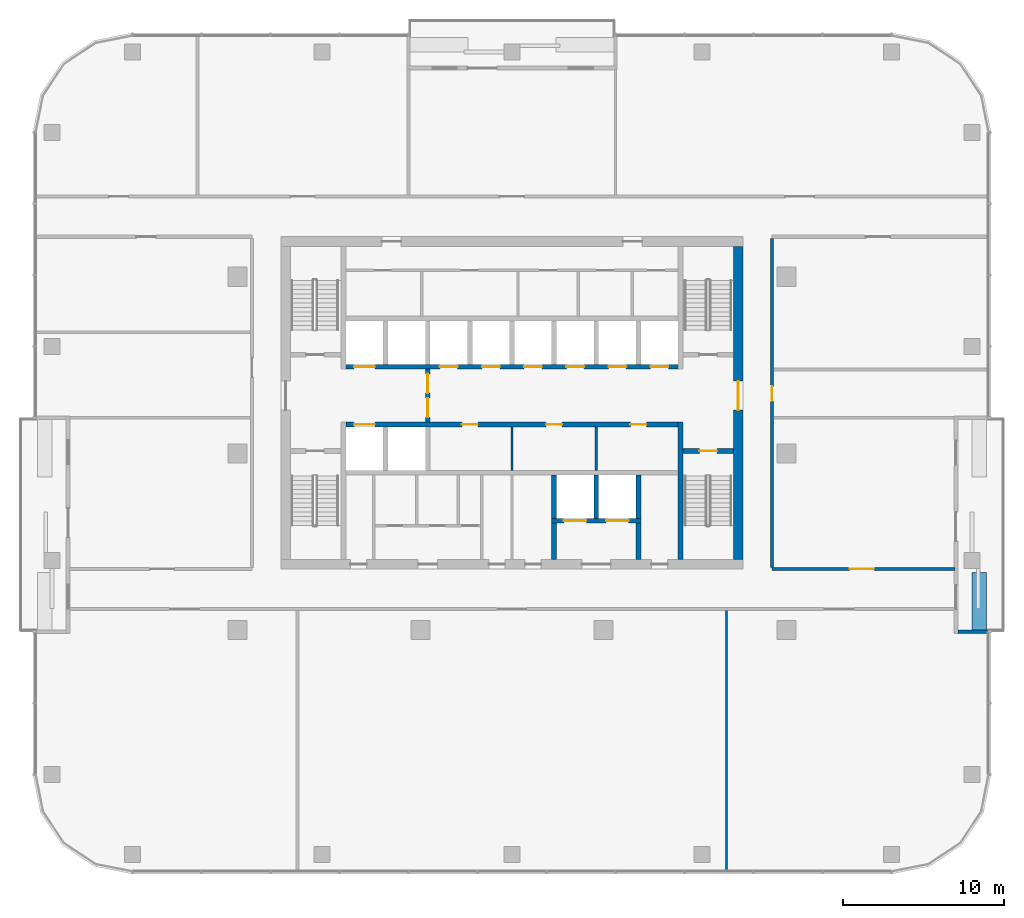
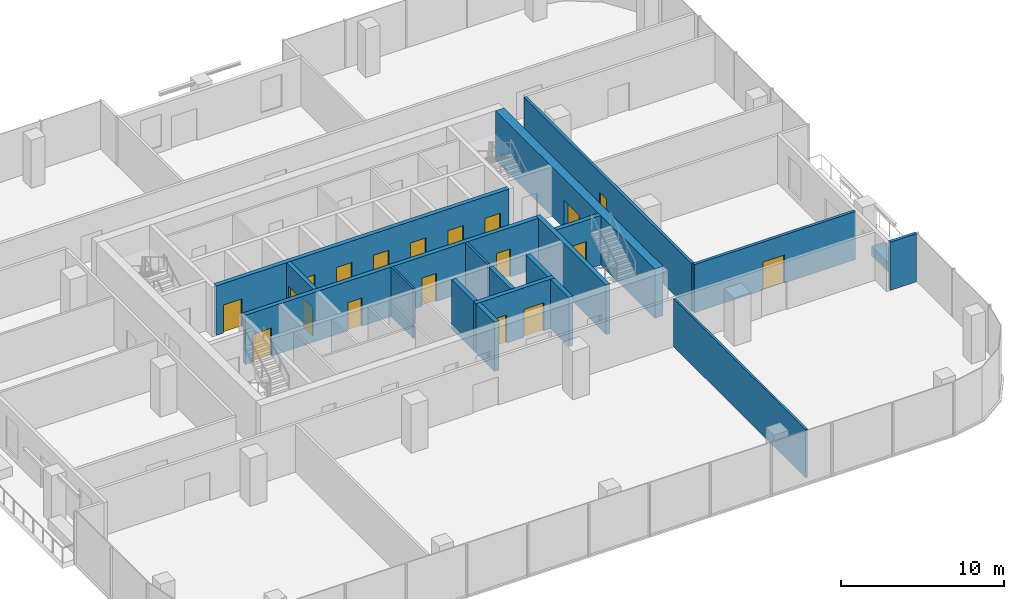
# One storey, part 8 of 13: 19 doors, 19 walls, 19 openings.
"""IFC4 building model written with IfcOpenShell, lengths in metres."""

import ifcopenshell
import ifcopenshell.guid

model = None  # the IFC model being written
_history = None  # IfcOwnerHistory: only IFC2X3 demands one
_inside = {}  # id of a spatial element -> (the spatial element, [elements in it])
_under = {}  # id of a project, library or spatial element -> (it, [spatial elements below it])
_declared = {}  # id of a project -> (the project, [libraries it declares])
_typed = {}  # id of a type object -> (the type object, [elements of that type])
_made_of = {}  # id of a material, layer set ... -> (it, [elements and type objects made of it])


def new_model(schema):
    """Start an empty IFC model of exactly this schema.

    Asked for "IFC4X3", IfcOpenShell would pick the latest addendum, in which some entities
    have other attributes; the version numbers below select the first issue.
    IFC2X3 requires an IfcOwnerHistory on every rooted entity: one is made here for all.
    """
    global model, _history
    if schema == "IFC4X3":
        model = ifcopenshell.file(schema_version=(4, 3, 0, 0))
    else:
        model = ifcopenshell.file(schema=schema)
    _inside.clear()
    _under.clear()
    _declared.clear()
    _typed.clear()
    _made_of.clear()
    _history = None
    if model.schema == "IFC2X3":
        org = make("IfcOrganization", Name="unknown")
        user = make(
            "IfcPersonAndOrganization",
            ThePerson=make("IfcPerson", FamilyName="unknown"),
            TheOrganization=org,
        )
        app = make(
            "IfcApplication",
            ApplicationDeveloper=org,
            Version="unknown",
            ApplicationFullName="unknown",
            ApplicationIdentifier="unknown",
        )
        _history = make(
            "IfcOwnerHistory",
            OwningUser=user,
            OwningApplication=app,
            ChangeAction="ADDED",
            CreationDate=0,
        )
    return model


def make(cls, **values):
    """One entity of the class cls with the attributes given. An attribute that is None is left unset."""
    return model.create_entity(
        cls, **{name: value for name, value in values.items() if value is not None}
    )


def rooted(cls, **values):
    """An entity with a GlobalId (a new one), such as an element, a storey or a relation."""
    return make(cls, GlobalId=ifcopenshell.guid.new(), OwnerHistory=_history, **values)


def si_unit(unit_type, name, prefix=None):
    """IfcSIUnit, for example si_unit("LENGTHUNIT", "METRE", prefix="MILLI")."""
    return make("IfcSIUnit", UnitType=unit_type, Prefix=prefix, Name=name)


def assignment(units):
    """IfcUnitAssignment: the units of a project."""
    return None if units is None else make("IfcUnitAssignment", Units=units)


def point(xyz):
    """IfcCartesianPoint."""
    return None if xyz is None else make("IfcCartesianPoint", Coordinates=xyz)


def direction(xyz):
    """IfcDirection."""
    return None if xyz is None else make("IfcDirection", DirectionRatios=xyz)


def frame(location, z_axis=None, x_axis=None):
    """IfcAxis2Placement3D, a coordinate frame: its origin and axes. An axis left out is left unset."""
    return make(
        "IfcAxis2Placement3D",
        Location=point(location),
        Axis=direction(z_axis),
        RefDirection=direction(x_axis),
    )


def frame_2d(location, x_axis=None):
    """IfcAxis2Placement2D, a coordinate frame in the plane: its origin and x axis."""
    return make(
        "IfcAxis2Placement2D", Location=point(location), RefDirection=direction(x_axis)
    )


def origin():
    """The frame at (0, 0, 0) with its axes left unset."""
    return frame((0.0, 0.0, 0.0))


def place(relative_to, where):
    """IfcLocalPlacement: puts the frame where relative to a parent placement (None: the world)."""
    return make(
        "IfcLocalPlacement", PlacementRelTo=relative_to, RelativePlacement=where
    )


def context(
    kind, dimensions, precision=None, world=None, true_north=None, identifier=None
):
    """IfcGeometricRepresentationContext, for example the 3D "Model" context."""
    return make(
        "IfcGeometricRepresentationContext",
        ContextIdentifier=identifier,
        ContextType=kind,
        CoordinateSpaceDimension=dimensions,
        Precision=precision,
        WorldCoordinateSystem=world,
        TrueNorth=true_north,
    )


def subcontext(parent, identifier, kind, view, scale=None):
    """IfcGeometricRepresentationSubContext, for example "Body" below "Model"."""
    return make(
        "IfcGeometricRepresentationSubContext",
        ContextIdentifier=identifier,
        ContextType=kind,
        ParentContext=parent,
        TargetScale=scale,
        TargetView=view,
    )


def project(units=None, contexts=None):
    """IfcProject with its units and contexts."""
    return rooted(
        "IfcProject",
        Name="project",
        RepresentationContexts=contexts,
        UnitsInContext=assignment(units),
    )


def spatial(cls, under=None, at=None, **own):
    """A site, building, storey or space (cls), placed at a placement, below another one or the project."""
    s = rooted(cls, ObjectPlacement=at, **own)
    if under is not None:
        _under.setdefault(under.id(), (under, []))[1].append(s)
    return s


def profile(cls, at=None, kind="AREA", **sizes):
    """A parametric profile (cls). Its sizes go by their IFC names, for example OverallWidth=200.0."""
    return make(cls, ProfileType=kind, Position=at, **sizes)


def rectangle(**sizes):
    """IfcRectangleProfileDef."""
    return profile("IfcRectangleProfileDef", **sizes)


def extrude(swept, where, along, depth):
    """IfcExtrudedAreaSolid: the profile swept, set in the frame where, extruded along a direction by depth."""
    return make(
        "IfcExtrudedAreaSolid",
        SweptArea=swept,
        Position=where,
        ExtrudedDirection=direction(along),
        Depth=depth,
    )


def shape(context_of_items, identifier, shape_type, items):
    """IfcShapeRepresentation: the items that make up one representation, for example the "Body"."""
    return make(
        "IfcShapeRepresentation",
        ContextOfItems=context_of_items,
        RepresentationIdentifier=identifier,
        RepresentationType=shape_type,
        Items=items,
    )


def material(Name=None, Category=None):
    """IfcMaterial."""
    return make("IfcMaterial", Name=Name, Category=Category)


def layer(
    of_material, thickness, ventilated=None, Name=None, Category=None, Priority=None
):
    """IfcMaterialLayer: one layer of a wall or slab, of a material (None: an air gap)."""
    return make(
        "IfcMaterialLayer",
        Material=of_material,
        LayerThickness=thickness,
        IsVentilated=ventilated,
        Name=Name,
        Category=Category,
        Priority=Priority,
    )


def layer_set(layers, Name=None):
    """IfcMaterialLayerSet."""
    return make("IfcMaterialLayerSet", MaterialLayers=layers, LayerSetName=Name)


def made_of(thing, what):
    """Note that an element or type object is made of a material, layer set ...; save() writes the relation."""
    if what is not None:
        _made_of.setdefault(what.id(), (what, []))[1].append(thing)
    return thing


def type_object(cls, material=None, **own):
    """A type object (cls), such as IfcWallType, which elements share."""
    return made_of(rooted(cls, **own), material)


def element(
    cls,
    number,
    at=None,
    inside=None,
    cuts=None,
    type_object=None,
    material=None,
    context=None,
    identifier="Body",
    shape_type=None,
    held_by="IfcProductDefinitionShape",
    body=None,
    shapes=None,
    **own,
):
    """One element of the class cls, such as IfcWall. Its Tag is "e" and its number.

    at: its placement. inside: the storey or other place that contains it. cuts: it is an
    opening in that element (IfcRelVoidsElement). A single representation is given by context,
    identifier, shape_type and body (its items); several are given by shapes. held_by: the class
    of the entity that holds the representations. save() writes the other relations.
    """
    e = rooted(cls, Tag="e%d" % number, ObjectPlacement=at, **own)
    if body is not None:
        shapes = [shape(context, identifier, shape_type, body)]
    if shapes is not None:
        e.Representation = make(held_by, Representations=shapes)
    if inside is not None:
        _inside.setdefault(inside.id(), (inside, []))[1].append(e)
    if cuts is not None:
        rooted(
            "IfcRelVoidsElement", RelatingBuildingElement=cuts, RelatedOpeningElement=e
        )
    if type_object is not None:
        _typed.setdefault(type_object.id(), (type_object, []))[1].append(e)
    return made_of(e, material)


def fill(opening, filler):
    """IfcRelFillsElement: the door or window that sits in an opening."""
    return rooted(
        "IfcRelFillsElement",
        RelatingOpeningElement=opening,
        RelatedBuildingElement=filler,
    )


def aggregate(whole, parts):
    """IfcRelAggregates: a whole, such as a stair, and the parts it consists of."""
    return rooted("IfcRelAggregates", RelatingObject=whole, RelatedObjects=parts)


def save(model, path):
    """Write the relations noted so far, then the file.

    IfcRelAggregates (storeys below a building ...), IfcRelContainedInSpatialStructure (elements
    in a storey), IfcRelDefinesByType, IfcRelAssociatesMaterial and IfcRelDeclares: one each for
    every whole, place, type object, material and project.
    """
    for whole, parts in _under.values():
        aggregate(whole, parts)
    for where, things in _inside.values():
        rooted(
            "IfcRelContainedInSpatialStructure",
            RelatedElements=things,
            RelatingStructure=where,
        )
    for kind, things in _typed.values():
        rooted("IfcRelDefinesByType", RelatedObjects=things, RelatingType=kind)
    for what, things in _made_of.values():
        rooted("IfcRelAssociatesMaterial", RelatedObjects=things, RelatingMaterial=what)
    for by, libraries in _declared.values():
        rooted("IfcRelDeclares", RelatingContext=by, RelatedDefinitions=libraries)
    model.write(path)


model = new_model("IFC4")

# Units and contexts
model_context = context("Model", 3, precision=1e-05, world=origin(), true_north=direction((0.0, 1.0)))
body_context = subcontext(model_context, "Body", "Model", "MODEL_VIEW")
ifc_project = project(units=[si_unit("LENGTHUNIT", "METRE"), si_unit("AREAUNIT", "SQUARE_METRE"), si_unit("VOLUMEUNIT", "CUBIC_METRE"), si_unit("PLANEANGLEUNIT", "RADIAN"), si_unit("MASSUNIT", "GRAM", prefix="KILO")], contexts=[model_context])

# Site, building, storey
site_placement = place(None, origin())
site = spatial("IfcSite", under=ifc_project, at=site_placement, CompositionType="ELEMENT")
building_placement = place(site_placement, origin())
building = spatial("IfcBuilding", under=site, at=building_placement, Name="Mopane Tessera Tower", CompositionType="ELEMENT")
storey_placement = place(building_placement, frame((0.0, 0.0, 275.39990234375)))
storey = spatial("IfcBuildingStorey", under=building, at=storey_placement, Name="L59", CompositionType="ELEMENT", Elevation=275.39990234375)

# Walls
ifc_material_1 = material(Name="Fire-rated gypsum board partition")
ifc_layer_1 = layer(ifc_material_1, 0.14990234375)
ifc_layer_set_1 = layer_set([ifc_layer_1], Name="Fire-rated gypsum board partition")
wall_type_1 = type_object("IfcWallType", Name="Core room partition 150 mm", PredefinedType="PARTITIONING", material=ifc_layer_set_1)
for number, where, z_axis, x_axis, name in (
    (1, (0.0, -1.050048828125, 0.0), (0.0, 0.0, 1.0), (0.0, 1.0, 0.0), "L59 Room partition"),
    (2, (5.25, -1.050048828125, 0.0), (0.0, 0.0, 1.0), (0.0, 1.0, 0.0), "L59 Room partition"),
):
    element("IfcWall", number, at=place(storey_placement, frame(where, z_axis=z_axis, x_axis=x_axis)), inside=storey, type_object=wall_type_1, Name=name, PredefinedType="PARTITIONING", context=body_context, shape_type="SweptSolid", body=[
        extrude(rectangle(XDim=2.699951171875, YDim=0.14990234375, at=frame_2d((1.35009765625, 0.0))), origin(), (0.0, 0.0, 1.0), 3.7001953125),
    ])

# Wall, opening, door
ifc_material_2 = material(Name="Concrete C70/85", Category="concrete")
ifc_layer_2 = layer(ifc_material_2, 0.60009765625)
ifc_layer_set_2 = layer_set([ifc_layer_2], Name="Concrete C70/85")
wall_type_2 = type_object("IfcWallType", Name="Core shear wall 600 mm", PredefinedType="SHEAR", material=ifc_layer_set_2)
wall_1_placement = place(storey_placement, frame((14.10009765625, -6.60009765625, 0.0), z_axis=(0.0, 0.0, 1.0), x_axis=(0.0, 1.0, 0.0)))
wall_1 = element("IfcWall", 3, at=wall_1_placement, inside=storey, type_object=wall_type_2, Name="L59 Core wall east", PredefinedType="SHEAR", context=body_context, shape_type="SweptSolid", body=[
    extrude(rectangle(XDim=19.5, YDim=0.60009765625, at=frame_2d((9.75, 0.0))), origin(), (0.0, 0.0, 1.0), 3.7001953125),
])
opening_1_placement = place(wall_1_placement, frame((9.300048828125, 0.0, 0.0)))
opening_1 = element("IfcOpeningElement", 4, at=opening_1_placement, cuts=wall_1, Name="Opening SD2", PredefinedType="OPENING", context=body_context, shape_type="SweptSolid", body=[
    extrude(rectangle(XDim=1.800048828125, YDim=2.10009765625, at=frame_2d((0.89990234375, 1.050048828125))), frame((0.0, 0.31201171875, 0.0), z_axis=(0.0, -1.0, 0.0), x_axis=(1.0, 0.0, 0.0)), (0.0, 0.0, 1.0), 0.6240234375),
])
ifc_material_3 = material(Name="Steel fire door", Category="steel")
door_type_1 = type_object("IfcDoorType", Name="Core entrance double door 1800 x 2100", OperationType="DOUBLE_DOOR_SINGLE_SWING", PredefinedType="DOOR", material=ifc_material_3)
door_1_placement = place(opening_1_placement, origin())
door_1 = element("IfcDoor", 5, at=door_1_placement, inside=storey, type_object=door_type_1, Name="L59 Core entrance door east", OperationType="DOUBLE_DOOR_SINGLE_SWING", OverallHeight=2.10009765625, OverallWidth=1.800048828125, PredefinedType="DOOR", context=body_context, shape_type="SweptSolid", body=[
    extrude(rectangle(XDim=1.800048828125, YDim=2.10009765625, at=frame_2d((0.89990234375, 1.050048828125))), frame((0.0, 0.02490234375, 0.0), z_axis=(0.0, -1.0, 0.0), x_axis=(1.0, 0.0, 0.0)), (0.0, 0.0, 1.0), 0.050048828125),
])
fill(opening_1, door_1)

# Wall
ifc_material_4 = material(Name="Concrete C60/75", Category="concrete")
ifc_layer_3 = layer(ifc_material_4, 0.300048828125)
ifc_layer_set_3 = layer_set([ifc_layer_3], Name="Concrete C60/75")
wall_type_3 = type_object("IfcWallType", Name="Core spine wall 300 mm", PredefinedType="SHEAR", material=ifc_layer_set_3)
wall_2_placement = place(storey_placement, frame((10.5, -6.60009765625, 0.0), z_axis=(0.0, 0.0, 1.0), x_axis=(0.0, 1.0, 0.0)))
element("IfcWall", 6, at=wall_2_placement, inside=storey, type_object=wall_type_3, Name="L59 Core spine wall", PredefinedType="SHEAR", context=body_context, shape_type="SweptSolid", body=[
    extrude(rectangle(XDim=8.550048828125, YDim=0.300048828125, at=frame_2d((4.27490234375, 0.0))), origin(), (0.0, 0.0, 1.0), 3.7001953125),
])

# Wall, opening, door
ifc_material_5 = material(Name="Gypsum board on steel studs, two layers each face, mineral wool infill", Category="steel")
ifc_layer_4 = layer(ifc_material_5, 0.199951171875)
ifc_layer_set_4 = layer_set([ifc_layer_4], Name="Gypsum board on steel studs, two layers each face, mineral wool infill")
wall_type_4 = type_object("IfcWallType", Name="Gypsum board corridor wall 200, rated EI 60", PredefinedType="PARTITIONING", material=ifc_layer_set_4)
wall_3_placement = place(storey_placement, frame((16.199951171875, -7.199951171875, 0.0), z_axis=(0.0, 0.0, 1.0), x_axis=(1.0, 0.0, 0.0)))
wall_3 = element("IfcWall", 7, at=wall_3_placement, inside=storey, type_object=wall_type_4, Name="Partition L59:002", PredefinedType="PARTITIONING", context=body_context, shape_type="SweptSolid", body=[
    extrude(rectangle(XDim=11.400146484375, YDim=0.199951171875, at=frame_2d((5.7001953125, 0.0))), origin(), (0.0, 0.0, 1.0), 3.60009765625),
])
opening_2_placement = place(wall_3_placement, frame((4.85009765625, 0.0, 0.0)))
opening_2 = element("IfcOpeningElement", 8, at=opening_2_placement, cuts=wall_3, Name="Opening L59-05", PredefinedType="OPENING", context=body_context, shape_type="SweptSolid", body=[
    extrude(rectangle(XDim=1.5, YDim=2.10009765625, at=frame_2d((0.75, 1.050048828125))), frame((0.0, 0.112060546875, 0.0), z_axis=(0.0, -1.0, 0.0), x_axis=(1.0, 0.0, 0.0)), (0.0, 0.0, 1.0), 0.223876953125),
])
ifc_material_6 = material(Name="Timber veneered steel-framed fire door", Category="steel")
door_type_2 = type_object("IfcDoorType", Name="Fire door pair FD60 1500 x 2100", OperationType="DOUBLE_DOOR_SINGLE_SWING", PredefinedType="DOOR", material=ifc_material_6)
door_2_placement = place(opening_2_placement, origin())
door_2 = element("IfcDoor", 9, at=door_2_placement, inside=storey, type_object=door_type_2, Name="Door L59-05", ObjectType="D17A", OperationType="DOUBLE_DOOR_SINGLE_SWING", OverallHeight=2.10009765625, OverallWidth=1.5, PredefinedType="DOOR", context=body_context, shape_type="SweptSolid", body=[
    extrude(rectangle(XDim=1.5, YDim=2.10009765625, at=frame_2d((0.75, 1.050048828125))), frame((0.0, 0.02490234375, 0.0), z_axis=(0.0, -1.0, 0.0), x_axis=(1.0, 0.0, 0.0)), (0.0, 0.0, 1.0), 0.050048828125),
])
fill(opening_2, door_2)

wall_4_placement = place(storey_placement, frame((16.199951171875, -7.10009765625, 0.0), z_axis=(0.0, 0.0, 1.0), x_axis=(0.0, 1.0, 0.0)))
wall_4 = element("IfcWall", 10, at=wall_4_placement, inside=storey, type_object=wall_type_4, Name="Partition L59:016", PredefinedType="PARTITIONING", context=body_context, shape_type="SweptSolid", body=[
    extrude(rectangle(XDim=20.5, YDim=0.199951171875, at=frame_2d((10.25, 0.0))), origin(), (0.0, 0.0, 1.0), 3.60009765625),
])
opening_3_placement = place(wall_4_placement, frame((10.3701171875, 0.0, 0.0)))
opening_3 = element("IfcOpeningElement", 11, at=opening_3_placement, cuts=wall_4, Name="Opening L59-13", PredefinedType="OPENING", context=body_context, shape_type="SweptSolid", body=[
    extrude(rectangle(XDim=0.89990234375, YDim=2.10009765625, at=frame_2d((0.449951171875, 1.050048828125))), frame((0.0, 0.112060546875, 0.0), z_axis=(0.0, -1.0, 0.0), x_axis=(1.0, 0.0, 0.0)), (0.0, 0.0, 1.0), 0.223876953125),
])
ifc_material_7 = material(Name="Timber veneered steel-framed fire door", Category="steel")
door_type_3 = type_object("IfcDoorType", Name="Fire door FD60 900 x 2100", OperationType="SINGLE_SWING_LEFT", PredefinedType="DOOR", material=ifc_material_7)
door_3_placement = place(opening_3_placement, origin())
door_3 = element("IfcDoor", 12, at=door_3_placement, inside=storey, type_object=door_type_3, Name="Door L59-13", ObjectType="D10A", OperationType="SINGLE_SWING_LEFT", OverallHeight=2.10009765625, OverallWidth=0.89990234375, PredefinedType="DOOR", context=body_context, shape_type="SweptSolid", body=[
    extrude(rectangle(XDim=0.89990234375, YDim=2.10009765625, at=frame_2d((0.449951171875, 1.050048828125))), frame((0.0, 0.02490234375, 0.0), z_axis=(0.0, -1.0, 0.0), x_axis=(1.0, 0.0, 0.0)), (0.0, 0.0, 1.0), 0.050048828125),
])
fill(opening_3, door_3)

# Wall
ifc_material_8 = material(Name="Gypsum board on steel studs, mineral wool infill", Category="steel")
ifc_layer_5 = layer(ifc_material_8, 0.14990234375)
ifc_layer_set_5 = layer_set([ifc_layer_5], Name="Gypsum board on steel studs, mineral wool infill")
wall_type_5 = type_object("IfcWallType", Name="Gypsum board partition 150, rated EI 60", PredefinedType="PARTITIONING", material=ifc_layer_set_5)
wall_5_placement = place(storey_placement, frame((13.364990234375, -25.949951171875, 0.0), z_axis=(0.0, 0.0, 1.0), x_axis=(0.0, 1.0, 0.0)))
element("IfcWall", 13, at=wall_5_placement, inside=storey, type_object=wall_type_5, Name="Partition L59:015", PredefinedType="PARTITIONING", context=body_context, shape_type="SweptSolid", body=[
    extrude(rectangle(XDim=16.14990234375, YDim=0.14990234375, at=frame_2d((8.074951171875, 0.0))), origin(), (0.0, 0.0, 1.0), 3.60009765625),
])

# Wall, opening, door
ifc_material_9 = material(Name="Concrete C50/60", Category="concrete")
ifc_layer_6 = layer(ifc_material_9, 0.300048828125)
ifc_layer_set_6 = layer_set([ifc_layer_6], Name="Concrete C50/60")
wall_type_6 = type_object("IfcWallType", Name="Lift and stair shaft wall 300 mm", PredefinedType="SOLIDWALL", material=ifc_layer_set_6)
wall_6_placement = place(storey_placement, frame((10.64990234375, 0.14990234375, 0.0), z_axis=(0.0, 0.0, 1.0), x_axis=(1.0, 0.0, 0.0)))
wall_6 = element("IfcWall", 14, at=wall_6_placement, inside=storey, type_object=wall_type_6, Name="L59 Stair enclosure wall", PredefinedType="SOLIDWALL", context=body_context, shape_type="SweptSolid", body=[
    extrude(rectangle(XDim=3.150146484375, YDim=0.300048828125, at=frame_2d((1.5751953125, 0.0))), origin(), (0.0, 0.0, 1.0), 3.7001953125),
])
opening_4_placement = place(wall_6_placement, frame((1.02490234375, 0.0, 0.0)))
opening_4 = element("IfcOpeningElement", 15, at=opening_4_placement, cuts=wall_6, Name="Opening SD1", PredefinedType="OPENING", context=body_context, shape_type="SweptSolid", body=[
    extrude(rectangle(XDim=1.10009765625, YDim=2.10009765625, at=frame_2d((0.550048828125, 1.050048828125))), frame((0.0, 0.162109375, 0.0), z_axis=(0.0, -1.0, 0.0), x_axis=(1.0, 0.0, 0.0)), (0.0, 0.0, 1.0), 0.323974609375),
])
ifc_material_10 = material(Name="Steel fire door", Category="steel")
door_type_4 = type_object("IfcDoorType", Name="Stair fire door 1100 x 2100", OperationType="SINGLE_SWING_LEFT", PredefinedType="DOOR", material=ifc_material_10)
door_4_placement = place(opening_4_placement, origin())
door_4 = element("IfcDoor", 16, at=door_4_placement, inside=storey, type_object=door_type_4, Name="L59 Stair door ST3", OperationType="SINGLE_SWING_RIGHT", OverallHeight=2.10009765625, OverallWidth=1.10009765625, PredefinedType="DOOR", context=body_context, shape_type="SweptSolid", body=[
    extrude(rectangle(XDim=1.10009765625, YDim=2.10009765625, at=frame_2d((0.550048828125, 1.050048828125))), frame((0.0, 0.02490234375, 0.0), z_axis=(0.0, -1.0, 0.0), x_axis=(1.0, 0.0, 0.0)), (0.0, 0.0, 1.0), 0.050048828125),
])
fill(opening_4, door_4)

# Wall, openings, doors
wall_7_placement = place(storey_placement, frame((-10.35009765625, 1.800048828125, 0.0), z_axis=(0.0, 0.0, 1.0), x_axis=(1.0, 0.0, 0.0)))
wall_7 = element("IfcWall", 17, at=wall_7_placement, inside=storey, type_object=wall_type_6, Name="L59 Lift shaft front wall", PredefinedType="SOLIDWALL", context=body_context, shape_type="SweptSolid", body=[
    extrude(rectangle(XDim=20.7001953125, YDim=0.300048828125, at=frame_2d((10.35009765625, 0.0))), origin(), (0.0, 0.0, 1.0), 3.7001953125),
])
opening_5_placement = place(wall_7_placement, frame((0.512451171875, 0.0, 0.0)))
opening_5 = element("IfcOpeningElement", 18, at=opening_5_placement, cuts=wall_7, Name="Opening LD2", PredefinedType="OPENING", context=body_context, shape_type="SweptSolid", body=[
    extrude(rectangle(XDim=1.300048828125, YDim=2.10009765625, at=frame_2d((0.64990234375, 1.050048828125))), frame((0.0, 0.162109375, 0.0), z_axis=(0.0, -1.0, 0.0), x_axis=(1.0, 0.0, 0.0)), (0.0, 0.0, 1.0), 0.323974609375),
])
opening_6_placement = place(wall_7_placement, frame((7.22509765625, 0.0, 0.0)))
opening_6 = element("IfcOpeningElement", 19, at=opening_6_placement, cuts=wall_7, Name="Opening RD1", PredefinedType="OPENING", context=body_context, shape_type="SweptSolid", body=[
    extrude(rectangle(XDim=1.0, YDim=2.10009765625, at=frame_2d((0.5, 1.050048828125))), frame((0.0, 0.162109375, 0.0), z_axis=(0.0, -1.0, 0.0), x_axis=(1.0, 0.0, 0.0)), (0.0, 0.0, 1.0), 0.323974609375),
])
opening_7_placement = place(wall_7_placement, frame((12.47509765625, 0.0, 0.0)))
opening_7 = element("IfcOpeningElement", 20, at=opening_7_placement, cuts=wall_7, Name="Opening RD1", PredefinedType="OPENING", context=body_context, shape_type="SweptSolid", body=[
    extrude(rectangle(XDim=1.0, YDim=2.10009765625, at=frame_2d((0.5, 1.050048828125))), frame((0.0, 0.162109375, 0.0), z_axis=(0.0, -1.0, 0.0), x_axis=(1.0, 0.0, 0.0)), (0.0, 0.0, 1.0), 0.323974609375),
])
opening_8_placement = place(wall_7_placement, frame((17.72509765625, 0.0, 0.0)))
opening_8 = element("IfcOpeningElement", 21, at=opening_8_placement, cuts=wall_7, Name="Opening RD1", PredefinedType="OPENING", context=body_context, shape_type="SweptSolid", body=[
    extrude(rectangle(XDim=1.0, YDim=2.10009765625, at=frame_2d((0.5, 1.050048828125))), frame((0.0, 0.162109375, 0.0), z_axis=(0.0, -1.0, 0.0), x_axis=(1.0, 0.0, 0.0)), (0.0, 0.0, 1.0), 0.323974609375),
])
ifc_material_11 = material(Name="Timber door", Category="wood")
door_type_5 = type_object("IfcDoorType", Name="Core room door 1000 x 2100", OperationType="SINGLE_SWING_LEFT", PredefinedType="DOOR", material=ifc_material_11)
door_5_placement = place(opening_6_placement, origin())
door_5 = element("IfcDoor", 22, at=door_5_placement, inside=storey, type_object=door_type_5, Name="L59 Room door", OperationType="SINGLE_SWING_LEFT", OverallHeight=2.10009765625, OverallWidth=1.0, PredefinedType="DOOR", context=body_context, shape_type="SweptSolid", body=[
    extrude(rectangle(XDim=1.0, YDim=2.10009765625, at=frame_2d((0.5, 1.050048828125))), frame((0.0, 0.02490234375, 0.0), z_axis=(0.0, -1.0, 0.0), x_axis=(1.0, 0.0, 0.0)), (0.0, 0.0, 1.0), 0.050048828125),
])
fill(opening_6, door_5)
door_6_placement = place(opening_7_placement, origin())
door_6 = element("IfcDoor", 23, at=door_6_placement, inside=storey, type_object=door_type_5, Name="L59 Room door", OperationType="SINGLE_SWING_LEFT", OverallHeight=2.10009765625, OverallWidth=1.0, PredefinedType="DOOR", context=body_context, shape_type="SweptSolid", body=[
    extrude(rectangle(XDim=1.0, YDim=2.10009765625, at=frame_2d((0.5, 1.050048828125))), frame((0.0, 0.02490234375, 0.0), z_axis=(0.0, -1.0, 0.0), x_axis=(1.0, 0.0, 0.0)), (0.0, 0.0, 1.0), 0.050048828125),
])
fill(opening_7, door_6)
door_7_placement = place(opening_8_placement, origin())
door_7 = element("IfcDoor", 24, at=door_7_placement, inside=storey, type_object=door_type_5, Name="L59 Room door", OperationType="SINGLE_SWING_LEFT", OverallHeight=2.10009765625, OverallWidth=1.0, PredefinedType="DOOR", context=body_context, shape_type="SweptSolid", body=[
    extrude(rectangle(XDim=1.0, YDim=2.10009765625, at=frame_2d((0.5, 1.050048828125))), frame((0.0, 0.02490234375, 0.0), z_axis=(0.0, -1.0, 0.0), x_axis=(1.0, 0.0, 0.0)), (0.0, 0.0, 1.0), 0.050048828125),
])
fill(opening_8, door_7)
ifc_material_12 = material(Name="Stainless steel sliding door", Category="steel")
door_type_6 = type_object("IfcDoorType", Name="Fire-fighting lift landing door 1300 x 2100", OperationType="DOUBLE_DOOR_SLIDING", PredefinedType="DOOR", material=ifc_material_12)
door_8_placement = place(opening_5_placement, origin())
door_8 = element("IfcDoor", 25, at=door_8_placement, inside=storey, type_object=door_type_6, Name="L59 Lift landing door FF1", OperationType="DOUBLE_DOOR_SLIDING", OverallHeight=2.10009765625, OverallWidth=1.300048828125, PredefinedType="DOOR", context=body_context, shape_type="SweptSolid", body=[
    extrude(rectangle(XDim=1.300048828125, YDim=2.10009765625, at=frame_2d((0.64990234375, 1.050048828125))), frame((0.0, 0.02490234375, 0.0), z_axis=(0.0, -1.0, 0.0), x_axis=(1.0, 0.0, 0.0)), (0.0, 0.0, 1.0), 0.050048828125),
])
fill(opening_5, door_8)

wall_8_placement = place(storey_placement, frame((-10.35009765625, 5.39990234375, 0.0), z_axis=(0.0, 0.0, 1.0), x_axis=(1.0, 0.0, 0.0)))
wall_8 = element("IfcWall", 26, at=wall_8_placement, inside=storey, type_object=wall_type_6, Name="L59 Lift shaft front wall", PredefinedType="SOLIDWALL", context=body_context, shape_type="SweptSolid", body=[
    extrude(rectangle(XDim=20.7001953125, YDim=0.300048828125, at=frame_2d((10.35009765625, 0.0))), origin(), (0.0, 0.0, 1.0), 3.7001953125),
])
opening_9_placement = place(wall_8_placement, frame((0.512451171875, 0.0, 0.0)))
opening_9 = element("IfcOpeningElement", 27, at=opening_9_placement, cuts=wall_8, Name="Opening LD2", PredefinedType="OPENING", context=body_context, shape_type="SweptSolid", body=[
    extrude(rectangle(XDim=1.300048828125, YDim=2.10009765625, at=frame_2d((0.64990234375, 1.050048828125))), frame((0.0, 0.162109375, 0.0), z_axis=(0.0, -1.0, 0.0), x_axis=(1.0, 0.0, 0.0)), (0.0, 0.0, 1.0), 0.323974609375),
])
opening_10_placement = place(wall_8_placement, frame((5.862548828125, 0.0, 0.0)))
opening_10 = element("IfcOpeningElement", 28, at=opening_10_placement, cuts=wall_8, Name="Opening LD", PredefinedType="OPENING", context=body_context, shape_type="SweptSolid", body=[
    extrude(rectangle(XDim=1.10009765625, YDim=2.10009765625, at=frame_2d((0.550048828125, 1.050048828125))), frame((0.0, 0.162109375, 0.0), z_axis=(0.0, -1.0, 0.0), x_axis=(1.0, 0.0, 0.0)), (0.0, 0.0, 1.0), 0.323974609375),
])
opening_11_placement = place(wall_8_placement, frame((8.487548828125, 0.0, 0.0)))
opening_11 = element("IfcOpeningElement", 29, at=opening_11_placement, cuts=wall_8, Name="Opening LD", PredefinedType="OPENING", context=body_context, shape_type="SweptSolid", body=[
    extrude(rectangle(XDim=1.10009765625, YDim=2.10009765625, at=frame_2d((0.550048828125, 1.050048828125))), frame((0.0, 0.162109375, 0.0), z_axis=(0.0, -1.0, 0.0), x_axis=(1.0, 0.0, 0.0)), (0.0, 0.0, 1.0), 0.323974609375),
])
opening_12_placement = place(wall_8_placement, frame((11.112548828125, 0.0, 0.0)))
opening_12 = element("IfcOpeningElement", 30, at=opening_12_placement, cuts=wall_8, Name="Opening LD", PredefinedType="OPENING", context=body_context, shape_type="SweptSolid", body=[
    extrude(rectangle(XDim=1.10009765625, YDim=2.10009765625, at=frame_2d((0.550048828125, 1.050048828125))), frame((0.0, 0.162109375, 0.0), z_axis=(0.0, -1.0, 0.0), x_axis=(1.0, 0.0, 0.0)), (0.0, 0.0, 1.0), 0.323974609375),
])
opening_13_placement = place(wall_8_placement, frame((13.737548828125, 0.0, 0.0)))
opening_13 = element("IfcOpeningElement", 31, at=opening_13_placement, cuts=wall_8, Name="Opening LD", PredefinedType="OPENING", context=body_context, shape_type="SweptSolid", body=[
    extrude(rectangle(XDim=1.10009765625, YDim=2.10009765625, at=frame_2d((0.550048828125, 1.050048828125))), frame((0.0, 0.162109375, 0.0), z_axis=(0.0, -1.0, 0.0), x_axis=(1.0, 0.0, 0.0)), (0.0, 0.0, 1.0), 0.323974609375),
])
opening_14_placement = place(wall_8_placement, frame((16.362548828125, 0.0, 0.0)))
opening_14 = element("IfcOpeningElement", 32, at=opening_14_placement, cuts=wall_8, Name="Opening LD", PredefinedType="OPENING", context=body_context, shape_type="SweptSolid", body=[
    extrude(rectangle(XDim=1.10009765625, YDim=2.10009765625, at=frame_2d((0.550048828125, 1.050048828125))), frame((0.0, 0.162109375, 0.0), z_axis=(0.0, -1.0, 0.0), x_axis=(1.0, 0.0, 0.0)), (0.0, 0.0, 1.0), 0.323974609375),
])
opening_15_placement = place(wall_8_placement, frame((18.987548828125, 0.0, 0.0)))
opening_15 = element("IfcOpeningElement", 33, at=opening_15_placement, cuts=wall_8, Name="Opening LD", PredefinedType="OPENING", context=body_context, shape_type="SweptSolid", body=[
    extrude(rectangle(XDim=1.10009765625, YDim=2.10009765625, at=frame_2d((0.550048828125, 1.050048828125))), frame((0.0, 0.162109375, 0.0), z_axis=(0.0, -1.0, 0.0), x_axis=(1.0, 0.0, 0.0)), (0.0, 0.0, 1.0), 0.323974609375),
])
door_9_placement = place(opening_9_placement, origin())
door_9 = element("IfcDoor", 34, at=door_9_placement, inside=storey, type_object=door_type_6, Name="L59 Lift landing door FF2", OperationType="DOUBLE_DOOR_SLIDING", OverallHeight=2.10009765625, OverallWidth=1.300048828125, PredefinedType="DOOR", context=body_context, shape_type="SweptSolid", body=[
    extrude(rectangle(XDim=1.300048828125, YDim=2.10009765625, at=frame_2d((0.64990234375, 1.050048828125))), frame((0.0, 0.02490234375, 0.0), z_axis=(0.0, -1.0, 0.0), x_axis=(1.0, 0.0, 0.0)), (0.0, 0.0, 1.0), 0.050048828125),
])
fill(opening_9, door_9)
ifc_material_13 = material(Name="Stainless steel sliding door", Category="steel")
door_type_7 = type_object("IfcDoorType", Name="Lift landing door 1100 x 2100", OperationType="DOUBLE_DOOR_SLIDING", PredefinedType="DOOR", material=ifc_material_13)
door_10_placement = place(opening_10_placement, origin())
door_10 = element("IfcDoor", 35, at=door_10_placement, inside=storey, type_object=door_type_7, Name="L59 Lift landing door HR1", OperationType="DOUBLE_DOOR_SLIDING", OverallHeight=2.10009765625, OverallWidth=1.10009765625, PredefinedType="DOOR", context=body_context, shape_type="SweptSolid", body=[
    extrude(rectangle(XDim=1.10009765625, YDim=2.10009765625, at=frame_2d((0.550048828125, 1.050048828125))), frame((0.0, 0.02490234375, 0.0), z_axis=(0.0, -1.0, 0.0), x_axis=(1.0, 0.0, 0.0)), (0.0, 0.0, 1.0), 0.050048828125),
])
fill(opening_10, door_10)
door_11_placement = place(opening_11_placement, origin())
door_11 = element("IfcDoor", 36, at=door_11_placement, inside=storey, type_object=door_type_7, Name="L59 Lift landing door HR2", OperationType="DOUBLE_DOOR_SLIDING", OverallHeight=2.10009765625, OverallWidth=1.10009765625, PredefinedType="DOOR", context=body_context, shape_type="SweptSolid", body=[
    extrude(rectangle(XDim=1.10009765625, YDim=2.10009765625, at=frame_2d((0.550048828125, 1.050048828125))), frame((0.0, 0.02490234375, 0.0), z_axis=(0.0, -1.0, 0.0), x_axis=(1.0, 0.0, 0.0)), (0.0, 0.0, 1.0), 0.050048828125),
])
fill(opening_11, door_11)
door_12_placement = place(opening_12_placement, origin())
door_12 = element("IfcDoor", 37, at=door_12_placement, inside=storey, type_object=door_type_7, Name="L59 Lift landing door HR3", OperationType="DOUBLE_DOOR_SLIDING", OverallHeight=2.10009765625, OverallWidth=1.10009765625, PredefinedType="DOOR", context=body_context, shape_type="SweptSolid", body=[
    extrude(rectangle(XDim=1.10009765625, YDim=2.10009765625, at=frame_2d((0.550048828125, 1.050048828125))), frame((0.0, 0.02490234375, 0.0), z_axis=(0.0, -1.0, 0.0), x_axis=(1.0, 0.0, 0.0)), (0.0, 0.0, 1.0), 0.050048828125),
])
fill(opening_12, door_12)
door_13_placement = place(opening_13_placement, origin())
door_13 = element("IfcDoor", 38, at=door_13_placement, inside=storey, type_object=door_type_7, Name="L59 Lift landing door HR4", OperationType="DOUBLE_DOOR_SLIDING", OverallHeight=2.10009765625, OverallWidth=1.10009765625, PredefinedType="DOOR", context=body_context, shape_type="SweptSolid", body=[
    extrude(rectangle(XDim=1.10009765625, YDim=2.10009765625, at=frame_2d((0.550048828125, 1.050048828125))), frame((0.0, 0.02490234375, 0.0), z_axis=(0.0, -1.0, 0.0), x_axis=(1.0, 0.0, 0.0)), (0.0, 0.0, 1.0), 0.050048828125),
])
fill(opening_13, door_13)
door_14_placement = place(opening_14_placement, origin())
door_14 = element("IfcDoor", 39, at=door_14_placement, inside=storey, type_object=door_type_7, Name="L59 Lift landing door HR5", OperationType="DOUBLE_DOOR_SLIDING", OverallHeight=2.10009765625, OverallWidth=1.10009765625, PredefinedType="DOOR", context=body_context, shape_type="SweptSolid", body=[
    extrude(rectangle(XDim=1.10009765625, YDim=2.10009765625, at=frame_2d((0.550048828125, 1.050048828125))), frame((0.0, 0.02490234375, 0.0), z_axis=(0.0, -1.0, 0.0), x_axis=(1.0, 0.0, 0.0)), (0.0, 0.0, 1.0), 0.050048828125),
])
fill(opening_14, door_14)
door_15_placement = place(opening_15_placement, origin())
door_15 = element("IfcDoor", 40, at=door_15_placement, inside=storey, type_object=door_type_7, Name="L59 Lift landing door HR6", OperationType="DOUBLE_DOOR_SLIDING", OverallHeight=2.10009765625, OverallWidth=1.10009765625, PredefinedType="DOOR", context=body_context, shape_type="SweptSolid", body=[
    extrude(rectangle(XDim=1.10009765625, YDim=2.10009765625, at=frame_2d((0.550048828125, 1.050048828125))), frame((0.0, 0.02490234375, 0.0), z_axis=(0.0, -1.0, 0.0), x_axis=(1.0, 0.0, 0.0)), (0.0, 0.0, 1.0), 0.050048828125),
])
fill(opening_15, door_15)

wall_9_placement = place(storey_placement, frame((2.47509765625, -4.199951171875, 0.0), z_axis=(0.0, 0.0, 1.0), x_axis=(1.0, 0.0, 0.0)))
wall_9 = element("IfcWall", 41, at=wall_9_placement, inside=storey, type_object=wall_type_6, Name="L59 Lift shaft front wall", PredefinedType="SOLIDWALL", context=body_context, shape_type="SweptSolid", body=[
    extrude(rectangle(XDim=5.5498046875, YDim=0.300048828125, at=frame_2d((2.77490234375, 0.0))), origin(), (0.0, 0.0, 1.0), 3.7001953125),
])
opening_16_placement = place(wall_9_placement, frame((0.762451171875, 0.0, 0.0)))
opening_16 = element("IfcOpeningElement", 42, at=opening_16_placement, cuts=wall_9, Name="Opening LD3", PredefinedType="OPENING", context=body_context, shape_type="SweptSolid", body=[
    extrude(rectangle(XDim=1.39990234375, YDim=2.10009765625, at=frame_2d((0.699951171875, 1.050048828125))), frame((0.0, 0.162109375, 0.0), z_axis=(0.0, -1.0, 0.0), x_axis=(1.0, 0.0, 0.0)), (0.0, 0.0, 1.0), 0.323974609375),
])
opening_17_placement = place(wall_9_placement, frame((3.387451171875, 0.0, 0.0)))
opening_17 = element("IfcOpeningElement", 43, at=opening_17_placement, cuts=wall_9, Name="Opening LD3", PredefinedType="OPENING", context=body_context, shape_type="SweptSolid", body=[
    extrude(rectangle(XDim=1.39990234375, YDim=2.10009765625, at=frame_2d((0.699951171875, 1.050048828125))), frame((0.0, 0.162109375, 0.0), z_axis=(0.0, -1.0, 0.0), x_axis=(1.0, 0.0, 0.0)), (0.0, 0.0, 1.0), 0.323974609375),
])
ifc_material_14 = material(Name="Stainless steel sliding door", Category="steel")
door_type_8 = type_object("IfcDoorType", Name="Service lift landing door 1400 x 2100", OperationType="DOUBLE_DOOR_SLIDING", PredefinedType="DOOR", material=ifc_material_14)
door_16_placement = place(opening_16_placement, origin())
door_16 = element("IfcDoor", 44, at=door_16_placement, inside=storey, type_object=door_type_8, Name="L59 Lift landing door SV1", OperationType="DOUBLE_DOOR_SLIDING", OverallHeight=2.10009765625, OverallWidth=1.39990234375, PredefinedType="DOOR", context=body_context, shape_type="SweptSolid", body=[
    extrude(rectangle(XDim=1.39990234375, YDim=2.10009765625, at=frame_2d((0.699951171875, 1.050048828125))), frame((0.0, 0.02490234375, 0.0), z_axis=(0.0, -1.0, 0.0), x_axis=(1.0, 0.0, 0.0)), (0.0, 0.0, 1.0), 0.050048828125),
])
fill(opening_16, door_16)
door_17_placement = place(opening_17_placement, origin())
door_17 = element("IfcDoor", 45, at=door_17_placement, inside=storey, type_object=door_type_8, Name="L59 Lift landing door SV2", OperationType="DOUBLE_DOOR_SLIDING", OverallHeight=2.10009765625, OverallWidth=1.39990234375, PredefinedType="DOOR", context=body_context, shape_type="SweptSolid", body=[
    extrude(rectangle(XDim=1.39990234375, YDim=2.10009765625, at=frame_2d((0.699951171875, 1.050048828125))), frame((0.0, 0.02490234375, 0.0), z_axis=(0.0, -1.0, 0.0), x_axis=(1.0, 0.0, 0.0)), (0.0, 0.0, 1.0), 0.050048828125),
])
fill(opening_17, door_17)

# Walls
for number, where, z_axis, x_axis, name in (
    (46, (2.625, -4.050048828125, 0.0), (0.0, 0.0, 1.0), (0.0, 1.0, 0.0), "L59 Lift shaft wall"),
    (47, (5.25, -4.050048828125, 0.0), (0.0, 0.0, 1.0), (0.0, 1.0, 0.0), "L59 Lift shaft wall"),
    (48, (7.875, -4.050048828125, 0.0), (0.0, 0.0, 1.0), (0.0, 1.0, 0.0), "L59 Lift shaft wall"),
):
    element("IfcWall", number, at=place(storey_placement, frame(where, z_axis=z_axis, x_axis=x_axis)), inside=storey, type_object=wall_type_6, Name=name, PredefinedType="SOLIDWALL", context=body_context, shape_type="SweptSolid", body=[
        extrude(rectangle(XDim=2.699951171875, YDim=0.300048828125, at=frame_2d((1.35009765625, 0.0))), origin(), (0.0, 0.0, 1.0), 3.7001953125),
    ])

# Wall, openings, doors
ifc_material_15 = material(Name="Concrete C50/60", Category="concrete")
ifc_layer_7 = layer(ifc_material_15, 0.300048828125)
ifc_layer_set_7 = layer_set([ifc_layer_7], Name="Concrete C50/60")
wall_type_7 = type_object("IfcWallType", Name="Lobby and refuge room wall 300 mm", PredefinedType="SOLIDWALL", material=ifc_layer_set_7)
wall_10_placement = place(storey_placement, frame((-5.25, 1.949951171875, 0.0), z_axis=(0.0, 0.0, 1.0), x_axis=(0.0, 1.0, 0.0)))
wall_10 = element("IfcWall", 49, at=wall_10_placement, inside=storey, type_object=wall_type_7, Name="L59 Fire-fighting lobby wall", PredefinedType="SOLIDWALL", context=body_context, shape_type="SweptSolid", body=[
    extrude(rectangle(XDim=3.300048828125, YDim=0.300048828125, at=frame_2d((1.64990234375, 0.0))), origin(), (0.0, 0.0, 1.0), 3.7001953125),
])
opening_18_placement = place(wall_10_placement, frame((0.300048828125, 0.0, 0.0)))
opening_18 = element("IfcOpeningElement", 50, at=opening_18_placement, cuts=wall_10, Name="Opening SD3", PredefinedType="OPENING", context=body_context, shape_type="SweptSolid", body=[
    extrude(rectangle(XDim=1.199951171875, YDim=2.10009765625, at=frame_2d((0.60009765625, 1.050048828125))), frame((0.0, 0.162109375, 0.0), z_axis=(0.0, -1.0, 0.0), x_axis=(1.0, 0.0, 0.0)), (0.0, 0.0, 1.0), 0.323974609375),
])
opening_19_placement = place(wall_10_placement, frame((1.800048828125, 0.0, 0.0)))
opening_19 = element("IfcOpeningElement", 51, at=opening_19_placement, cuts=wall_10, Name="Opening SD3", PredefinedType="OPENING", context=body_context, shape_type="SweptSolid", body=[
    extrude(rectangle(XDim=1.199951171875, YDim=2.10009765625, at=frame_2d((0.60009765625, 1.050048828125))), frame((0.0, 0.162109375, 0.0), z_axis=(0.0, -1.0, 0.0), x_axis=(1.0, 0.0, 0.0)), (0.0, 0.0, 1.0), 0.323974609375),
])
ifc_material_16 = material(Name="Steel fire door", Category="steel")
door_type_9 = type_object("IfcDoorType", Name="Lobby fire door 1200 x 2100", OperationType="SINGLE_SWING_LEFT", PredefinedType="DOOR", material=ifc_material_16)
door_18_placement = place(opening_18_placement, origin())
door_18 = element("IfcDoor", 52, at=door_18_placement, inside=storey, type_object=door_type_9, Name="L59 Fire-fighting lobby door", OperationType="SINGLE_SWING_LEFT", OverallHeight=2.10009765625, OverallWidth=1.199951171875, PredefinedType="DOOR", context=body_context, shape_type="SweptSolid", body=[
    extrude(rectangle(XDim=1.199951171875, YDim=2.10009765625, at=frame_2d((0.60009765625, 1.050048828125))), frame((0.0, 0.02490234375, 0.0), z_axis=(0.0, -1.0, 0.0), x_axis=(1.0, 0.0, 0.0)), (0.0, 0.0, 1.0), 0.050048828125),
])
fill(opening_18, door_18)
door_19_placement = place(opening_19_placement, origin())
door_19 = element("IfcDoor", 53, at=door_19_placement, inside=storey, type_object=door_type_9, Name="L59 Fire-fighting lobby door", OperationType="SINGLE_SWING_RIGHT", OverallHeight=2.10009765625, OverallWidth=1.199951171875, PredefinedType="DOOR", context=body_context, shape_type="SweptSolid", body=[
    extrude(rectangle(XDim=1.199951171875, YDim=2.10009765625, at=frame_2d((0.60009765625, 1.050048828125))), frame((0.0, 0.02490234375, 0.0), z_axis=(0.0, -1.0, 0.0), x_axis=(1.0, 0.0, 0.0)), (0.0, 0.0, 1.0), 0.050048828125),
])
fill(opening_19, door_19)

# Walls
for number, where, z_axis, x_axis, name in (
    (54, (2.625, -6.60009765625, 0.0), (0.0, 0.0, 1.0), (0.0, 1.0, 0.0), "L59 Service lobby wall"),
    (55, (7.875, -6.60009765625, 0.0), (0.0, 0.0, 1.0), (0.0, 1.0, 0.0), "L59 Service lobby wall"),
):
    element("IfcWall", number, at=place(storey_placement, frame(where, z_axis=z_axis, x_axis=x_axis)), inside=storey, type_object=wall_type_7, Name=name, PredefinedType="SOLIDWALL", context=body_context, shape_type="SweptSolid", body=[
        extrude(rectangle(XDim=2.25, YDim=0.300048828125, at=frame_2d((1.125, 0.0))), origin(), (0.0, 0.0, 1.0), 3.7001953125),
    ])
ifc_material_17 = material(Name="Reinforced concrete C32/40 with waterproofing", Category="concrete")
ifc_layer_8 = layer(ifc_material_17, 0.89990234375)
ifc_layer_set_8 = layer_set([ifc_layer_8], Name="Reinforced concrete C32/40 with waterproofing")
wall_type_8 = type_object("IfcWallType", Name="Planter trough 3600 x 900", PredefinedType="STANDARD", material=ifc_layer_set_8)
wall_11_placement = place(storey_placement, frame((29.10009765625, -11.01123046875, 0.0), z_axis=(0.0, 0.0, 1.0), x_axis=(0.0, 1.0, 0.0)))
element("IfcWall", 56, at=wall_11_placement, inside=storey, type_object=wall_type_8, Name="e:nw:L59:N1:pl0", PredefinedType="STANDARD", context=body_context, shape_type="SweptSolid", body=[
    extrude(rectangle(XDim=3.60009765625, YDim=0.89990234375, at=frame_2d((1.800048828125, 0.0))), origin(), (0.0, 0.0, 1.0), 0.7001953125),
])
ifc_material_18 = material(Name="Blockwork with glazed tile facing", Category="masonry")
ifc_layer_9 = layer(ifc_material_18, 0.199951171875)
ifc_layer_set_9 = layer_set([ifc_layer_9], Name="Blockwork with glazed tile facing")
wall_type_9 = type_object("IfcWallType", Name="Terrace cheek wall 200", PredefinedType="STANDARD", material=ifc_layer_set_9)
wall_12_placement = place(storey_placement, frame((29.64990234375, -11.111083984375, 0.0), z_axis=(0.0, 0.0, 1.0), x_axis=(-1.0, 0.0, 0.0)))
element("IfcWall", 57, at=wall_12_placement, inside=storey, type_object=wall_type_9, Name="e:nw:L59:N1:cheeka", PredefinedType="STANDARD", context=body_context, shape_type="SweptSolid", body=[
    extrude(rectangle(XDim=1.875, YDim=0.199951171875, at=frame_2d((0.9375, 0.0))), origin(), (0.0, 0.0, 1.0), 3.60009765625),
])

save(model, "model.ifc")
